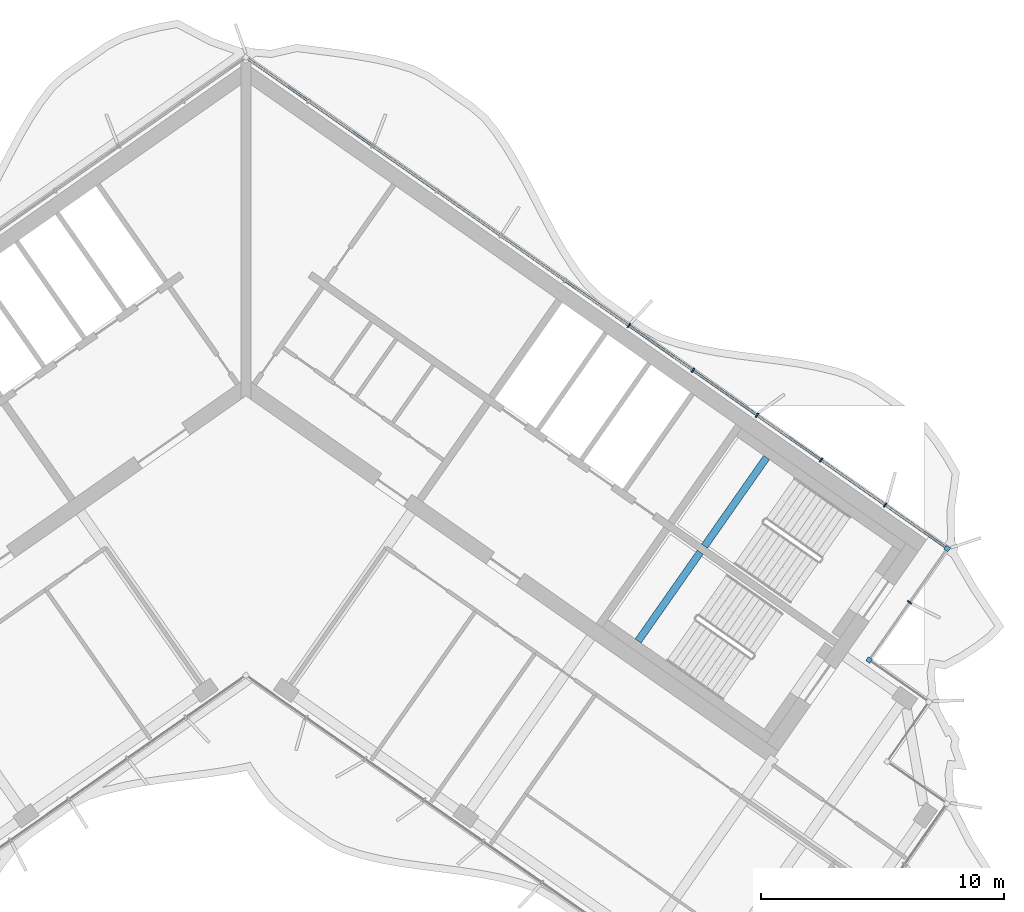
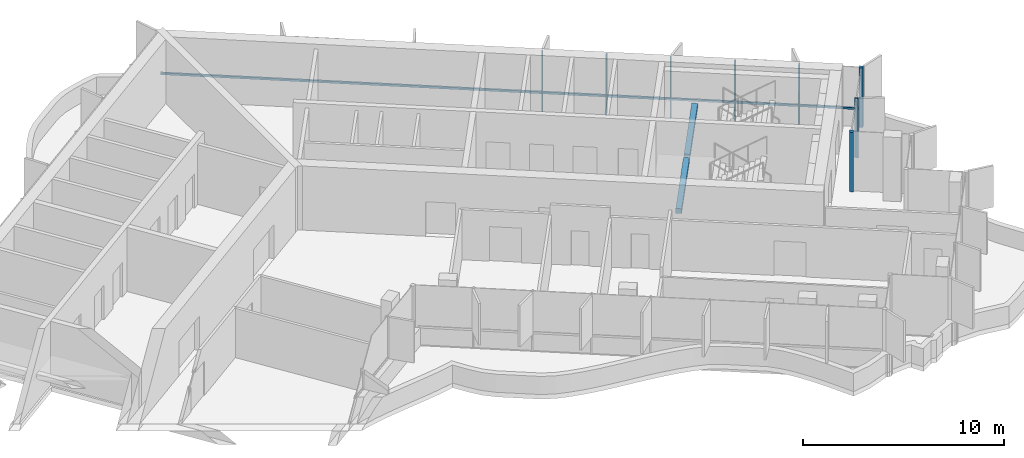
# One storey, part 5 of 17: 9 members, 2 beams, 1 element without a shape of its own.
"""IFC4 building model written with IfcOpenShell, lengths in metres."""

from ifc_helpers import new_model, si_unit, direction, frame, origin, origin_2d, place, context, subcontext, project, spatial, rectangle, extrude, material, material_profile, profile_set, type_object, element, aggregate, save


model = new_model("IFC4")

# Units and contexts
model_context = context("Model", 3, precision=1e-05, world=origin(), true_north=direction((0.0, 1.0)))
body_context = subcontext(model_context, "Body", "Model", "MODEL_VIEW")
ifc_project = project(units=[si_unit("LENGTHUNIT", "METRE"), si_unit("AREAUNIT", "SQUARE_METRE"), si_unit("VOLUMEUNIT", "CUBIC_METRE"), si_unit("PLANEANGLEUNIT", "RADIAN"), si_unit("MASSUNIT", "GRAM", prefix="KILO")], contexts=[model_context])

# Site, building, storey
site_placement = place(None, origin())
site = spatial("IfcSite", under=ifc_project, at=site_placement, CompositionType="ELEMENT")
building_placement = place(site_placement, origin())
building = spatial("IfcBuilding", under=site, at=building_placement, Name="Tel Ilan Convention Tower", CompositionType="ELEMENT")
storey_placement = place(building_placement, frame((0.0, 0.0, 283.89990234375)))
storey = spatial("IfcBuildingStorey", under=building, at=storey_placement, Name="L67", CompositionType="ELEMENT", Elevation=283.89990234375)

# Curtain wall, members
ifc_material_1 = material(Name="Aluminium, bronze anodised", Category="aluminium")
curtain_wall_type = type_object("IfcCurtainWallType", Name="CW2 STICK CURTAIN WALL, SPANDREL PANELS", PredefinedType="NOTDEFINED", material=ifc_material_1)
curtain_wall_placement = place(storey_placement, origin())
curtain_wall = element("IfcCurtainWall", 1, at=curtain_wall_placement, inside=storey, type_object=curtain_wall_type, Name="Curtain wall CW2-50.01", PredefinedType="NOTDEFINED")
ifc_material_2 = material(Name="Aluminium, bronze anodised", Category="aluminium")
ifc_material_profile_1 = material_profile(ifc_material_2, rectangle(XDim=0.199951171875, YDim=0.199951171875, at=origin_2d()), Name="CW CORNER MULLION 200x200")
ifc_profile_set_1 = profile_set([ifc_material_profile_1], Name="Aluminium, bronze anodised")
member_type_1 = type_object("IfcMemberType", Name="CW CORNER MULLION 200x200", PredefinedType="MULLION", material=ifc_profile_set_1)
member_1_placement = place(storey_placement, frame((25.607421875, -12.07080078125, 0.0), z_axis=(0.0, 0.0, 1.0), x_axis=(-0.819152044289, 0.573576436351, 0.0)))
member_1 = element("IfcMember", 2, at=member_1_placement, type_object=member_type_1, Name="Corner mullion", PredefinedType="MULLION", context=body_context, shape_type="SweptSolid", body=[
    extrude(rectangle(XDim=0.199951171875, YDim=0.199951171875, at=origin_2d()), origin(), (0.0, 0.0, 1.0), 3.6201171875),
])
member_2_placement = place(storey_placement, frame((28.819580078125, -7.483642578125, 0.0), z_axis=(0.0, 0.0, 1.0), x_axis=(0.573576436351, 0.819152044289, 0.0)))
member_2 = element("IfcMember", 3, at=member_2_placement, type_object=member_type_1, Name="Corner mullion", PredefinedType="MULLION", context=body_context, shape_type="SweptSolid", body=[
    extrude(rectangle(XDim=0.199951171875, YDim=0.199951171875, at=origin_2d()), origin(), (0.0, 0.0, 1.0), 3.6201171875),
])
ifc_material_3 = material(Name="Aluminium, bronze anodised", Category="aluminium")
ifc_material_profile_2 = material_profile(ifc_material_3, rectangle(XDim=0.06005859375, YDim=0.199951171875, at=origin_2d()), Name="CW MULLION 60x200")
ifc_profile_set_2 = profile_set([ifc_material_profile_2], Name="Aluminium, bronze anodised")
member_type_2 = type_object("IfcMemberType", Name="CW MULLION 60x200", PredefinedType="MULLION", material=ifc_profile_set_2)
member_3_placement = place(storey_placement, frame((27.27099609375, -9.6953125, 0.0), z_axis=(0.0, 0.0, 1.0), x_axis=(0.573576436351, 0.819152044289, 0.0)))
member_3 = element("IfcMember", 4, at=member_3_placement, type_object=member_type_2, Name="Mullion", PredefinedType="MULLION", context=body_context, shape_type="SweptSolid", body=[
    extrude(rectangle(XDim=0.06005859375, YDim=0.199951171875, at=origin_2d()), origin(), (0.0, 0.0, 1.0), 3.6201171875),
])
member_4_placement = place(storey_placement, frame((26.268798828125, -5.697509765625, 0.0), z_axis=(0.0, 0.0, 1.0), x_axis=(-0.819152044289, 0.573576436351, 0.0)))
member_4 = element("IfcMember", 5, at=member_4_placement, type_object=member_type_2, Name="Mullion", PredefinedType="MULLION", context=body_context, shape_type="SweptSolid", body=[
    extrude(rectangle(XDim=0.06005859375, YDim=0.199951171875, at=origin_2d()), origin(), (0.0, 0.0, 1.0), 3.6201171875),
])
member_5_placement = place(storey_placement, frame((23.63623046875, -3.854248046875, 0.0), z_axis=(0.0, 0.0, 1.0), x_axis=(-0.819152044289, 0.573576436351, 0.0)))
member_5 = element("IfcMember", 6, at=member_5_placement, type_object=member_type_2, Name="Mullion", PredefinedType="MULLION", context=body_context, shape_type="SweptSolid", body=[
    extrude(rectangle(XDim=0.06005859375, YDim=0.199951171875, at=origin_2d()), origin(), (0.0, 0.0, 1.0), 3.6201171875),
])
member_6_placement = place(storey_placement, frame((21.003662109375, -2.0107421875, 0.0), z_axis=(0.0, 0.0, 1.0), x_axis=(-0.819152044289, 0.573576436351, 0.0)))
member_6 = element("IfcMember", 7, at=member_6_placement, type_object=member_type_2, Name="Mullion", PredefinedType="MULLION", context=body_context, shape_type="SweptSolid", body=[
    extrude(rectangle(XDim=0.06005859375, YDim=0.199951171875, at=origin_2d()), origin(), (0.0, 0.0, 1.0), 3.6201171875),
])
member_7_placement = place(storey_placement, frame((18.37109375, -0.16748046875, 0.0), z_axis=(0.0, 0.0, 1.0), x_axis=(-0.819152044289, 0.573576436351, 0.0)))
member_7 = element("IfcMember", 8, at=member_7_placement, type_object=member_type_2, Name="Mullion", PredefinedType="MULLION", context=body_context, shape_type="SweptSolid", body=[
    extrude(rectangle(XDim=0.06005859375, YDim=0.199951171875, at=origin_2d()), origin(), (0.0, 0.0, 1.0), 3.6201171875),
])
member_8_placement = place(storey_placement, frame((15.73828125, 1.676025390625, 0.0), z_axis=(0.0, 0.0, 1.0), x_axis=(-0.819152044289, 0.573576436351, 0.0)))
member_8 = element("IfcMember", 9, at=member_8_placement, type_object=member_type_2, Name="Mullion", PredefinedType="MULLION", context=body_context, shape_type="SweptSolid", body=[
    extrude(rectangle(XDim=0.06005859375, YDim=0.199951171875, at=origin_2d()), origin(), (0.0, 0.0, 1.0), 3.6201171875),
])
ifc_material_4 = material(Name="Aluminium, bronze anodised", Category="aluminium")
ifc_material_profile_3 = material_profile(ifc_material_4, rectangle(XDim=0.10009765625, YDim=0.1201171875, at=origin_2d()), Name="CW TRANSOM 100x120")
ifc_profile_set_3 = profile_set([ifc_material_profile_3], Name="Aluminium, bronze anodised")
member_type_3 = type_object("IfcMemberType", Name="CW TRANSOM 100x120", PredefinedType="USERDEFINED", material=ifc_profile_set_3)
member_9_placement = place(storey_placement, frame((28.737548828125, -7.42626953125, 1.10009765625), z_axis=(-0.819150201937, 0.573579067494, 0.0), x_axis=(-0.573579067494, -0.819150201937, 0.0)))
member_9 = element("IfcMember", 10, at=member_9_placement, type_object=member_type_3, Name="Transom", ObjectType="TRANSOM", PredefinedType="USERDEFINED", context=body_context, shape_type="SweptSolid", body=[
    extrude(rectangle(XDim=0.10009765625, YDim=0.1201171875, at=origin_2d()), origin(), (0.0, 0.0, 1.0), 34.9521484375),
])
aggregate(curtain_wall, [member_1, member_3, member_2, member_4, member_5, member_6, member_7, member_8, member_9])

# Beams
ifc_material_5 = material(Name="Concrete C40/50", Category="concrete")
ifc_material_profile_4 = material_profile(ifc_material_5, rectangle(XDim=0.300048828125, YDim=0.300048828125, at=origin_2d()), Name="RC 300x300")
ifc_profile_set_4 = profile_set([ifc_material_profile_4], Name="Concrete C40/50")
beam_type = type_object("IfcBeamType", Name="Landing Beam RC 300x300 Concrete C40/50", PredefinedType="BEAM", material=ifc_profile_set_4)
beam_1_placement = place(storey_placement, frame((21.39404296875, -3.7490234375, 1.60009765625), z_axis=(-0.573547030514, -0.819172633691, 0.0), x_axis=(0.819172633691, -0.573547030514, 0.0)))
element("IfcBeam", 11, at=beam_1_placement, inside=storey, type_object=beam_type, Name="S3 landing beam L67.1", PredefinedType="BEAM", context=body_context, shape_type="SweptSolid", body=[
    extrude(rectangle(XDim=0.300048828125, YDim=0.300048828125, at=origin_2d()), origin(), (0.0, 0.0, 1.0), 4.449951171875),
])
beam_2_placement = place(storey_placement, frame((18.669677734375, -7.64013671875, 1.60009765625), z_axis=(-0.573583844845, -0.819146856756, 0.0), x_axis=(0.819146856756, -0.573583844845, 0.0)))
element("IfcBeam", 12, at=beam_2_placement, inside=storey, type_object=beam_type, Name="S4 landing beam L67.1", PredefinedType="BEAM", context=body_context, shape_type="SweptSolid", body=[
    extrude(rectangle(XDim=0.300048828125, YDim=0.300048828125, at=origin_2d()), origin(), (0.0, 0.0, 1.0), 4.4501953125),
])

save(model, "model.ifc")
